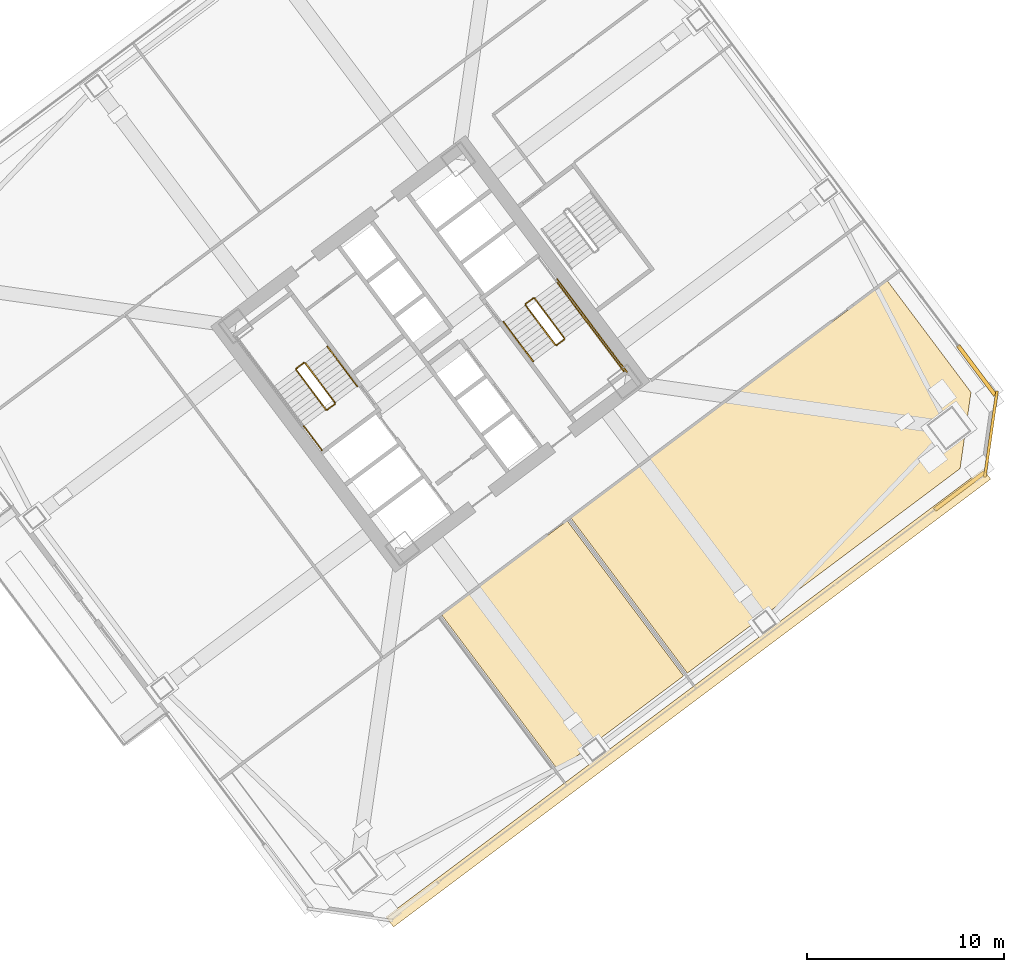
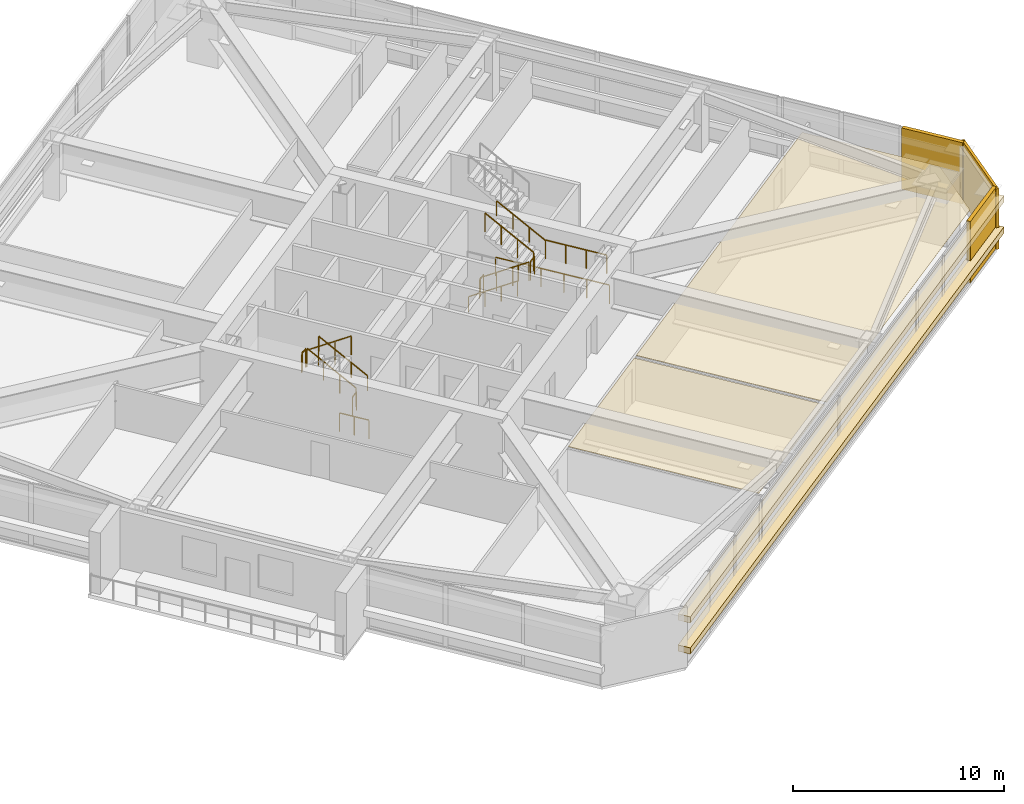
# One storey, part 46 of 48: 14 railings, 7 coverings.
"""IFC4 building model written with IfcOpenShell, lengths in metres."""

from ifc_helpers import new_model, si_unit, direction, frame, origin, origin_2d, place, context, subcontext, project, spatial, polyline, rectangle, outline, extrude, material, layer, layer_set, type_object, element, save


model = new_model("IFC4")

# Units and contexts
model_context = context("Model", 3, precision=1e-05, world=origin(), true_north=direction((0.0, 1.0)))
body_context = subcontext(model_context, "Body", "Model", "MODEL_VIEW")
ifc_project = project(units=[si_unit("LENGTHUNIT", "METRE"), si_unit("AREAUNIT", "SQUARE_METRE"), si_unit("VOLUMEUNIT", "CUBIC_METRE"), si_unit("PLANEANGLEUNIT", "RADIAN"), si_unit("MASSUNIT", "GRAM", prefix="KILO")], contexts=[model_context])

# Site, building, storey
site_placement = place(None, origin())
site = spatial("IfcSite", under=ifc_project, at=site_placement, CompositionType="ELEMENT")
building_placement = place(site_placement, origin())
building = spatial("IfcBuilding", under=site, at=building_placement, Name="Tashvorn Skyway Center", CompositionType="ELEMENT")
storey_placement = place(building_placement, frame((0.0, 0.0, 63.64990234375)))
storey = spatial("IfcBuildingStorey", under=building, at=storey_placement, Name="L16", CompositionType="ELEMENT", Elevation=63.64990234375)

# Coverings
ifc_material_1 = material(Name="Precast concrete C40/50", Category="concrete")
ifc_layer_1 = layer(ifc_material_1, 0.199951171875)
ifc_layer_set_1 = layer_set([ifc_layer_1], Name="Precast concrete C40/50")
covering_type_1 = type_object("IfcCoveringType", Name="COV-BRACE-CLAD", PredefinedType="CLADDING", material=ifc_layer_set_1)
for number, where, z_axis, x_axis, name in (
    (1, (140.853271484375, 25.0400390625, 0.0), (0.0, 0.0, 1.0), (-0.799999996291, -0.600000004945, 0.0), "Tower 2 L16 South Unitised Curtain Wall Mega-Brace Cladding Band 1"),
    (2, (141.72802734375, 31.16259765625, 0.0), (0.0, 0.0, 1.0), (0.600000004945, -0.799999996291, 0.0), "Tower 2 L16 East Unitised Curtain Wall Mega-Brace Cladding Band 2"),
):
    element("IfcCovering", number, at=place(storey_placement, frame(where, z_axis=z_axis, x_axis=x_axis)), inside=storey, type_object=covering_type_1, Name=name, PredefinedType="CLADDING", context=body_context, shape_type="SweptSolid", body=[
        extrude(rectangle(XDim=3.146728515625, YDim=0.199951171875, at=origin_2d()), origin(), (0.0, 0.0, 1.0), 3.550048828125),
    ])
ifc_material_2 = material(Name="Mineral-fibre acoustic ceiling tile on suspended grid")
ifc_layer_2 = layer(ifc_material_2, 0.02001953125)
ifc_layer_set_2 = layer_set([ifc_layer_2], Name="Mineral-fibre acoustic ceiling tile on suspended grid")
covering_type_2 = type_object("IfcCoveringType", Name="COV-CEIL-20", PredefinedType="CEILING", material=ifc_layer_set_2)
covering_1_placement = place(storey_placement, frame((0.0, 0.0, 2.47314453125)))
element("IfcCovering", 3, at=covering_1_placement, inside=storey, type_object=covering_type_2, Name="Tower 2 L16 Staff Fitness Club Acoustic Ceiling", PredefinedType="CEILING", context=body_context, shape_type="SweptSolid", body=[
    extrude(outline(polyline([(114.580078125, 18.760009765625), (120.947998046875, 23.535888671875), (126.85205078125, 15.6640625), (120.48388671875, 10.887939453125), (114.580078125, 18.760009765625)])), origin(), (0.0, 0.0, 1.0), 0.02001953125),
])
covering_2_placement = place(storey_placement, frame((0.0, 0.0, 2.47314453125)))
element("IfcCovering", 4, at=covering_2_placement, inside=storey, type_object=covering_type_2, Name="Tower 2 L16 Staff Fitness Club Acoustic Ceiling", PredefinedType="CEILING", context=body_context, shape_type="SweptSolid", body=[
    extrude(outline(polyline([(127.0439453125, 15.80810546875), (121.139892578125, 23.679931640625), (137.18798828125, 35.716064453125), (141.43603515625, 30.052001953125), (140.884033203125, 26.18798828125), (127.0439453125, 15.80810546875)])), origin(), (0.0, 0.0, 1.0), 0.02001953125),
])
ifc_material_3 = material(Name="Perforated ceramic-coated bronze aluminium solar screen", Category="aluminium")
ifc_layer_3 = layer(ifc_material_3, 0.85009765625)
ifc_layer_set_3 = layer_set([ifc_layer_3], Name="Perforated ceramic-coated bronze aluminium solar screen")
covering_type_3 = type_object("IfcCoveringType", Name="COV-SOLAR-BAND", PredefinedType="CLADDING", material=ifc_layer_set_3)
for number, where, z_axis, x_axis, name in (
    (5, (127.092041015625, 14.5439453125, 0.919921875), (0.0, 0.0, 1.0), (-0.799999996291, -0.600000004945, 0.0), "L16 Perforated Ceramic-Metal Solar Screen Louvre Band South 1"),
    (6, (127.092041015625, 14.5439453125, 2.72021484375), (0.0, 0.0, 1.0), (-0.799999996291, -0.600000004945, 0.0), "L16 Perforated Ceramic-Metal Solar Screen Louvre Band South 2"),
):
    element("IfcCovering", number, at=place(storey_placement, frame(where, z_axis=z_axis, x_axis=x_axis)), inside=storey, type_object=covering_type_3, Name=name, PredefinedType="CLADDING", context=body_context, shape_type="SweptSolid", body=[
        extrude(rectangle(XDim=37.8798828125, YDim=0.639892578125, at=origin_2d()), origin(), (0.0, 0.0, 1.0), 0.360107421875),
    ])
ifc_layer_4 = layer(ifc_material_1, 0.35009765625)
ifc_layer_set_4 = layer_set([ifc_layer_4], Name="Precast concrete C40/50")
covering_type_4 = type_object("IfcCoveringType", Name="COV-STONE-TRIM", PredefinedType="CLADDING", material=ifc_layer_set_4)
covering_3_placement = place(storey_placement, frame((142.447998046875, 27.93603515625, 0.02001953125), z_axis=(0.0, 0.0, 1.0), x_axis=(0.141421350118, 0.989949494535, 0.0)))
element("IfcCovering", 7, at=covering_3_placement, inside=storey, type_object=covering_type_4, Name="Tower 2 L16 SE Mojave Limestone Corner Quoin", PredefinedType="CLADDING", context=body_context, shape_type="SweptSolid", body=[
    extrude(rectangle(XDim=4.402587890625, YDim=0.139892578125, at=origin_2d()), origin(), (0.0, 0.0, 1.0), 3.510009765625),
])

# Railings
ifc_material_4 = material(Name="Brushed stainless steel 316", Category="steel")
railing_type_1 = type_object("IfcRailingType", Name="RAIL-HAND-920", PredefinedType="HANDRAIL", material=ifc_material_4)
railing_1_placement = place(storey_placement, frame((110.2880859375, 30.365966796875, 0.177490234375)))
element("IfcRailing", 8, at=railing_1_placement, inside=storey, type_object=railing_type_1, Name="L16 ST-T2-1 stair handrail 1", PredefinedType="HANDRAIL", context=body_context, shape_type="SweptSolid", body=[
    extrude(rectangle(XDim=0.048095703125, YDim=0.048095703125, at=origin_2d()), frame((0.0, 0.0, 0.8759765625), z_axis=(-0.506779409603, 0.675651334276, 0.53541563714), x_axis=(-0.799976749893, -0.600030998891, 0.0)), (0.0, 0.0, 1.0), 2.98388671875),
    extrude(rectangle(XDim=0.0419921875, YDim=0.0419921875, at=origin_2d()), origin(), (0.0, 0.0, 1.0), 0.851806640625),
    extrude(rectangle(XDim=0.0419921875, YDim=0.0419921875, at=origin_2d()), frame((-0.504150390625, 0.672119140625, 0.532470703125)), (0.0, 0.0, 1.0), 0.851806640625),
    extrude(rectangle(XDim=0.0419921875, YDim=0.0419921875, at=origin_2d()), frame((-1.008056640625, 1.343994140625, 1.065185546875)), (0.0, 0.0, 1.0), 0.851806640625),
    extrude(rectangle(XDim=0.0419921875, YDim=0.0419921875, at=origin_2d()), frame((-1.51220703125, 2.01611328125, 1.59765625)), (0.0, 0.0, 1.0), 0.851806640625),
])
railing_2_placement = place(storey_placement, frame((117.7119140625, 33.634033203125, 0.177490234375)))
element("IfcRailing", 9, at=railing_2_placement, inside=storey, type_object=railing_type_1, Name="L16 ST-T2-2 stair handrail 1", PredefinedType="HANDRAIL", context=body_context, shape_type="SweptSolid", body=[
    extrude(rectangle(XDim=0.048095703125, YDim=0.048095703125, at=origin_2d()), frame((0.0, 0.0, 0.8759765625), z_axis=(0.506779409603, -0.675651334276, 0.53541563714), x_axis=(0.799976749893, 0.600030998891, 0.0)), (0.0, 0.0, 1.0), 2.98388671875),
    extrude(rectangle(XDim=0.0419921875, YDim=0.0419921875, at=origin_2d()), origin(), (0.0, 0.0, 1.0), 0.851806640625),
    extrude(rectangle(XDim=0.0419921875, YDim=0.0419921875, at=origin_2d()), frame((0.504150390625, -0.672119140625, 0.532470703125)), (0.0, 0.0, 1.0), 0.851806640625),
    extrude(rectangle(XDim=0.0419921875, YDim=0.0419921875, at=origin_2d()), frame((1.008056640625, -1.343994140625, 1.065185546875)), (0.0, 0.0, 1.0), 0.851806640625),
    extrude(rectangle(XDim=0.0419921875, YDim=0.0419921875, at=origin_2d()), frame((1.51220703125, -2.01611328125, 1.59765625)), (0.0, 0.0, 1.0), 0.851806640625),
])
railing_3_placement = place(storey_placement, frame((121.927978515625, 33.64599609375, 1.95263671875)))
element("IfcRailing", 10, at=railing_3_placement, inside=storey, type_object=railing_type_1, Name="L16 ST-T2-2 stair handrail 2", PredefinedType="HANDRAIL", context=body_context, shape_type="SweptSolid", body=[
    extrude(rectangle(XDim=0.048095703125, YDim=0.048095703125, at=origin_2d()), frame((0.0, 0.0, 0.8759765625), z_axis=(-0.506740800098, 0.675708949977, 0.535379469569), x_axis=(-0.800023250257, -0.599968998406, 0.0)), (0.0, 0.0, 1.0), 2.983642578125),
    extrude(rectangle(XDim=0.0419921875, YDim=0.0419921875, at=origin_2d()), origin(), (0.0, 0.0, 1.0), 0.851806640625),
    extrude(rectangle(XDim=0.0419921875, YDim=0.0419921875, at=origin_2d()), frame((-0.50390625, 0.672119140625, 0.532470703125)), (0.0, 0.0, 1.0), 0.851806640625),
    extrude(rectangle(XDim=0.0419921875, YDim=0.0419921875, at=origin_2d()), frame((-1.008056640625, 1.343994140625, 1.06494140625)), (0.0, 0.0, 1.0), 0.851806640625),
    extrude(rectangle(XDim=0.0419921875, YDim=0.0419921875, at=origin_2d()), frame((-1.511962890625, 2.01611328125, 1.597412109375)), (0.0, 0.0, 1.0), 0.851806640625),
])
ifc_material_5 = material(Name="Painted galvanized steel S355", Category="steel")
railing_type_2 = type_object("IfcRailingType", Name="RAIL-STGUARD-1100", PredefinedType="GUARDRAIL", material=ifc_material_5)
railing_4_placement = place(storey_placement, frame((109.16796875, 29.52587890625, 0.177490234375)))
element("IfcRailing", 11, at=railing_4_placement, inside=storey, type_object=railing_type_2, Name="L16 ST-T2-1 stair guard 1", PredefinedType="GUARDRAIL", context=body_context, shape_type="SweptSolid", body=[
    extrude(rectangle(XDim=0.048095703125, YDim=0.048095703125, at=origin_2d()), frame((0.0, 0.0, 1.076171875), z_axis=(-0.506718600913, 0.675679348675, 0.535437836974), x_axis=(-0.800023250257, -0.599968998406, 0.0)), (0.0, 0.0, 1.0), 2.98388671875),
    extrude(rectangle(XDim=0.0419921875, YDim=0.0419921875, at=origin_2d()), origin(), (0.0, 0.0, 1.0), 1.052001953125),
    extrude(rectangle(XDim=0.0419921875, YDim=0.0419921875, at=origin_2d()), frame((-0.50390625, 0.672119140625, 0.532470703125)), (0.0, 0.0, 1.0), 1.052001953125),
    extrude(rectangle(XDim=0.0419921875, YDim=0.0419921875, at=origin_2d()), frame((-1.008056640625, 1.343994140625, 1.065185546875)), (0.0, 0.0, 1.0), 1.052001953125),
    extrude(rectangle(XDim=0.0419921875, YDim=0.0419921875, at=origin_2d()), frame((-1.511962890625, 2.01611328125, 1.59765625)), (0.0, 0.0, 1.0), 1.052001953125),
])
railing_5_placement = place(storey_placement, frame((107.5859375, 31.552001953125, 1.775146484375)))
element("IfcRailing", 12, at=railing_5_placement, inside=storey, type_object=railing_type_2, Name="L16 ST-T2-1 stair guard 2", PredefinedType="GUARDRAIL", context=body_context, shape_type="SweptSolid", body=[
    extrude(rectangle(XDim=0.048095703125, YDim=0.048095703125, at=origin_2d()), frame((0.0, 0.0, 1.076171875), z_axis=(-0.799938970639, -0.600081363861, 0.0), x_axis=(0.600081363861, -0.799938970639, 0.0)), (0.0, 0.0, 1.0), 0.47998046875),
    extrude(rectangle(XDim=0.0419921875, YDim=0.0419921875, at=origin_2d()), origin(), (0.0, 0.0, 1.0), 1.052001953125),
    extrude(rectangle(XDim=0.0419921875, YDim=0.0419921875, at=origin_2d()), frame((-0.384033203125, -0.2880859375, 0.0)), (0.0, 0.0, 1.0), 1.052001953125),
])
railing_6_placement = place(storey_placement, frame((107.19189453125, 31.194091796875, 1.95263671875)))
element("IfcRailing", 13, at=railing_6_placement, inside=storey, type_object=railing_type_2, Name="L16 ST-T2-1 stair guard 4", PredefinedType="GUARDRAIL", context=body_context, shape_type="SweptSolid", body=[
    extrude(rectangle(XDim=0.048095703125, YDim=0.048095703125, at=origin_2d()), frame((0.0, 0.0, 1.076171875), z_axis=(0.506801609611, -0.675680931896, 0.535357270211), x_axis=(0.799976749893, 0.600030998891, 0.0)), (0.0, 0.0, 1.0), 2.98388671875),
    extrude(rectangle(XDim=0.0419921875, YDim=0.0419921875, at=origin_2d()), origin(), (0.0, 0.0, 1.0), 1.052001953125),
    extrude(rectangle(XDim=0.0419921875, YDim=0.0419921875, at=origin_2d()), frame((0.504150390625, -0.672119140625, 0.532470703125)), (0.0, 0.0, 1.0), 1.052001953125),
    extrude(rectangle(XDim=0.0419921875, YDim=0.0419921875, at=origin_2d()), frame((1.008056640625, -1.343994140625, 1.06494140625)), (0.0, 0.0, 1.0), 1.052001953125),
    extrude(rectangle(XDim=0.0419921875, YDim=0.0419921875, at=origin_2d()), frame((1.51220703125, -2.01611328125, 1.597412109375)), (0.0, 0.0, 1.0), 1.052001953125),
])
railing_7_placement = place(storey_placement, frame((109.157958984375, 29.4560546875, 0.0)))
element("IfcRailing", 14, at=railing_7_placement, inside=storey, type_object=railing_type_2, Name="L16 ST-T2-1 stair guard 5", PredefinedType="GUARDRAIL", context=body_context, shape_type="SweptSolid", body=[
    extrude(rectangle(XDim=0.048095703125, YDim=0.048095703125, at=origin_2d()), frame((0.0, 0.0, 1.076171875), z_axis=(-0.799938970639, -0.600081363861, 0.0), x_axis=(0.600081363861, -0.799938970639, 0.0)), (0.0, 0.0, 1.0), 0.47998046875),
    extrude(rectangle(XDim=0.0419921875, YDim=0.0419921875, at=origin_2d()), origin(), (0.0, 0.0, 1.0), 1.052001953125),
    extrude(rectangle(XDim=0.0419921875, YDim=0.0419921875, at=origin_2d()), frame((-0.384033203125, -0.2880859375, 0.0)), (0.0, 0.0, 1.0), 1.052001953125),
])
railing_8_placement = place(storey_placement, frame((108.49609375, 27.1220703125, 0.0)))
element("IfcRailing", 15, at=railing_8_placement, inside=storey, type_object=railing_type_2, Name="L16 ST-T2-1 stair guard 6", PredefinedType="GUARDRAIL", context=body_context, shape_type="SweptSolid", body=[
    extrude(rectangle(XDim=0.048095703125, YDim=0.048095703125, at=origin_2d()), frame((0.0, 0.0, 1.076171875), z_axis=(-0.600102796382, 0.799922892393, 0.0), x_axis=(-0.799922892393, -0.600102796382, 0.0)), (0.0, 0.0, 1.0), 1.52001953125),
    extrude(rectangle(XDim=0.0419921875, YDim=0.0419921875, at=origin_2d()), origin(), (0.0, 0.0, 1.0), 1.052001953125),
    extrude(rectangle(XDim=0.0419921875, YDim=0.0419921875, at=origin_2d()), frame((-0.4560546875, 0.60791015625, 0.0)), (0.0, 0.0, 1.0), 1.052001953125),
    extrude(rectangle(XDim=0.0419921875, YDim=0.0419921875, at=origin_2d()), frame((-0.912109375, 1.2158203125, 0.0)), (0.0, 0.0, 1.0), 1.052001953125),
])
railing_9_placement = place(storey_placement, frame((118.83203125, 34.47412109375, 0.177490234375)))
element("IfcRailing", 16, at=railing_9_placement, inside=storey, type_object=railing_type_2, Name="L16 ST-T2-2 stair guard 1", PredefinedType="GUARDRAIL", context=body_context, shape_type="SweptSolid", body=[
    extrude(rectangle(XDim=0.048095703125, YDim=0.048095703125, at=origin_2d()), frame((0.0, 0.0, 1.076171875), z_axis=(0.506718600913, -0.675679348675, 0.535437836974), x_axis=(0.800023250257, 0.599968998406, 0.0)), (0.0, 0.0, 1.0), 2.98388671875),
    extrude(rectangle(XDim=0.0419921875, YDim=0.0419921875, at=origin_2d()), origin(), (0.0, 0.0, 1.0), 1.052001953125),
    extrude(rectangle(XDim=0.0419921875, YDim=0.0419921875, at=origin_2d()), frame((0.50390625, -0.672119140625, 0.532470703125)), (0.0, 0.0, 1.0), 1.052001953125),
    extrude(rectangle(XDim=0.0419921875, YDim=0.0419921875, at=origin_2d()), frame((1.008056640625, -1.343994140625, 1.065185546875)), (0.0, 0.0, 1.0), 1.052001953125),
    extrude(rectangle(XDim=0.0419921875, YDim=0.0419921875, at=origin_2d()), frame((1.511962890625, -2.01611328125, 1.59765625)), (0.0, 0.0, 1.0), 1.052001953125),
])
railing_10_placement = place(storey_placement, frame((120.4140625, 32.447998046875, 1.775146484375)))
element("IfcRailing", 17, at=railing_10_placement, inside=storey, type_object=railing_type_2, Name="L16 ST-T2-2 stair guard 2", PredefinedType="GUARDRAIL", context=body_context, shape_type="SweptSolid", body=[
    extrude(rectangle(XDim=0.048095703125, YDim=0.048095703125, at=origin_2d()), frame((0.0, 0.0, 1.076171875), z_axis=(0.799938970639, 0.600081363861, 0.0), x_axis=(-0.600081363861, 0.799938970639, 0.0)), (0.0, 0.0, 1.0), 0.47998046875),
    extrude(rectangle(XDim=0.0419921875, YDim=0.0419921875, at=origin_2d()), origin(), (0.0, 0.0, 1.0), 1.052001953125),
    extrude(rectangle(XDim=0.0419921875, YDim=0.0419921875, at=origin_2d()), frame((0.384033203125, 0.2880859375, 0.0)), (0.0, 0.0, 1.0), 1.052001953125),
])
railing_11_placement = place(storey_placement, frame((121.927978515625, 33.64599609375, 1.775146484375)))
element("IfcRailing", 18, at=railing_11_placement, inside=storey, type_object=railing_type_2, Name="L16 ST-T2-2 stair guard 3", PredefinedType="GUARDRAIL", context=body_context, shape_type="SweptSolid", body=[
    extrude(rectangle(XDim=0.048095703125, YDim=0.048095703125, at=origin_2d()), frame((0.0, 0.0, 1.076171875), z_axis=(0.599987638607, -0.800009270896, 0.0), x_axis=(0.800009270896, 0.599987638607, 0.0)), (0.0, 0.0, 1.0), 3.16015625),
    extrude(rectangle(XDim=0.0419921875, YDim=0.0419921875, at=origin_2d()), origin(), (0.0, 0.0, 1.0), 1.052001953125),
    extrude(rectangle(XDim=0.0419921875, YDim=0.0419921875, at=origin_2d()), frame((0.632080078125, -0.8427734375, 0.0)), (0.0, 0.0, 1.0), 1.052001953125),
    extrude(rectangle(XDim=0.0419921875, YDim=0.0419921875, at=origin_2d()), frame((1.263916015625, -1.685302734375, 0.0)), (0.0, 0.0, 1.0), 1.052001953125),
    extrude(rectangle(XDim=0.0419921875, YDim=0.0419921875, at=origin_2d()), frame((1.89599609375, -2.528076171875, 0.0)), (0.0, 0.0, 1.0), 1.052001953125),
])
railing_12_placement = place(storey_placement, frame((120.80810546875, 32.805908203125, 1.95263671875)))
element("IfcRailing", 19, at=railing_12_placement, inside=storey, type_object=railing_type_2, Name="L16 ST-T2-2 stair guard 4", PredefinedType="GUARDRAIL", context=body_context, shape_type="SweptSolid", body=[
    extrude(rectangle(XDim=0.048095703125, YDim=0.048095703125, at=origin_2d()), frame((0.0, 0.0, 1.076171875), z_axis=(-0.506801609611, 0.675680931896, 0.535357270211), x_axis=(-0.799976749893, -0.600030998891, 0.0)), (0.0, 0.0, 1.0), 2.98388671875),
    extrude(rectangle(XDim=0.0419921875, YDim=0.0419921875, at=origin_2d()), origin(), (0.0, 0.0, 1.0), 1.052001953125),
    extrude(rectangle(XDim=0.0419921875, YDim=0.0419921875, at=origin_2d()), frame((-0.504150390625, 0.672119140625, 0.532470703125)), (0.0, 0.0, 1.0), 1.052001953125),
    extrude(rectangle(XDim=0.0419921875, YDim=0.0419921875, at=origin_2d()), frame((-1.008056640625, 1.343994140625, 1.06494140625)), (0.0, 0.0, 1.0), 1.052001953125),
    extrude(rectangle(XDim=0.0419921875, YDim=0.0419921875, at=origin_2d()), frame((-1.51220703125, 2.01611328125, 1.597412109375)), (0.0, 0.0, 1.0), 1.052001953125),
])
railing_13_placement = place(storey_placement, frame((118.842041015625, 34.5439453125, 0.0)))
element("IfcRailing", 20, at=railing_13_placement, inside=storey, type_object=railing_type_2, Name="L16 ST-T2-2 stair guard 5", PredefinedType="GUARDRAIL", context=body_context, shape_type="SweptSolid", body=[
    extrude(rectangle(XDim=0.048095703125, YDim=0.048095703125, at=origin_2d()), frame((0.0, 0.0, 1.076171875), z_axis=(0.799938970639, 0.600081363861, 0.0), x_axis=(-0.600081363861, 0.799938970639, 0.0)), (0.0, 0.0, 1.0), 0.47998046875),
    extrude(rectangle(XDim=0.0419921875, YDim=0.0419921875, at=origin_2d()), origin(), (0.0, 0.0, 1.0), 1.052001953125),
    extrude(rectangle(XDim=0.0419921875, YDim=0.0419921875, at=origin_2d()), frame((0.384033203125, 0.2880859375, 0.0)), (0.0, 0.0, 1.0), 1.052001953125),
])
railing_14_placement = place(storey_placement, frame((120.43603515625, 35.802001953125, 0.0)))
element("IfcRailing", 21, at=railing_14_placement, inside=storey, type_object=railing_type_2, Name="L16 ST-T2-2 stair guard 7", PredefinedType="GUARDRAIL", context=body_context, shape_type="SweptSolid", body=[
    extrude(rectangle(XDim=0.048095703125, YDim=0.048095703125, at=origin_2d()), frame((0.0, 0.0, 1.076171875), z_axis=(0.6, -0.8, 0.0), x_axis=(0.8, 0.6, 0.0)), (0.0, 0.0, 1.0), 5.880126953125),
    extrude(rectangle(XDim=0.0419921875, YDim=0.0419921875, at=origin_2d()), origin(), (0.0, 0.0, 1.0), 1.052001953125),
    extrude(rectangle(XDim=0.0419921875, YDim=0.0419921875, at=origin_2d()), frame((0.70556640625, -0.94091796875, 0.0)), (0.0, 0.0, 1.0), 1.052001953125),
    extrude(rectangle(XDim=0.0419921875, YDim=0.0419921875, at=origin_2d()), frame((1.4111328125, -1.881591796875, 0.0)), (0.0, 0.0, 1.0), 1.052001953125),
    extrude(rectangle(XDim=0.0419921875, YDim=0.0419921875, at=origin_2d()), frame((2.116943359375, -2.822509765625, 0.0)), (0.0, 0.0, 1.0), 1.052001953125),
    extrude(rectangle(XDim=0.0419921875, YDim=0.0419921875, at=origin_2d()), frame((2.822509765625, -3.76318359375, 0.0)), (0.0, 0.0, 1.0), 1.052001953125),
    extrude(rectangle(XDim=0.0419921875, YDim=0.0419921875, at=origin_2d()), frame((3.528076171875, -4.7041015625, 0.0)), (0.0, 0.0, 1.0), 1.052001953125),
])

save(model, "model.ifc")
